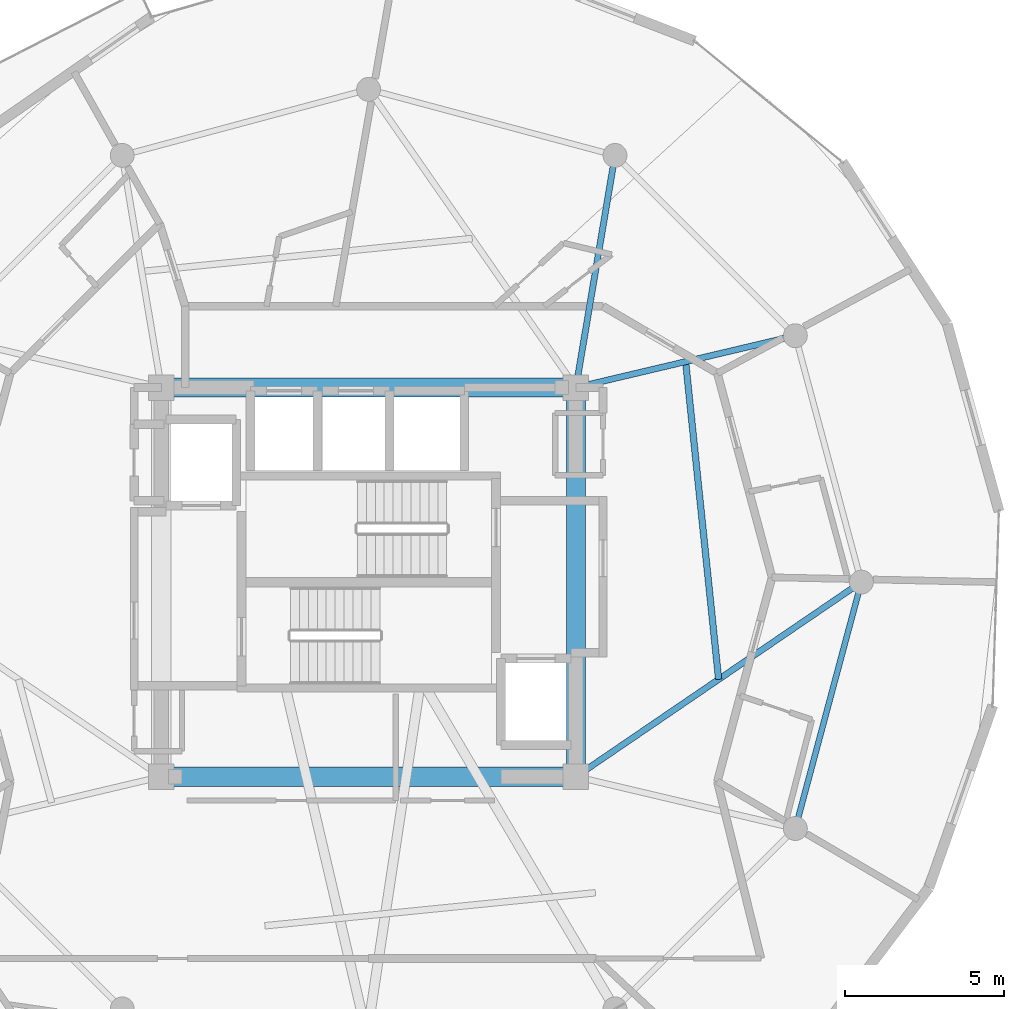
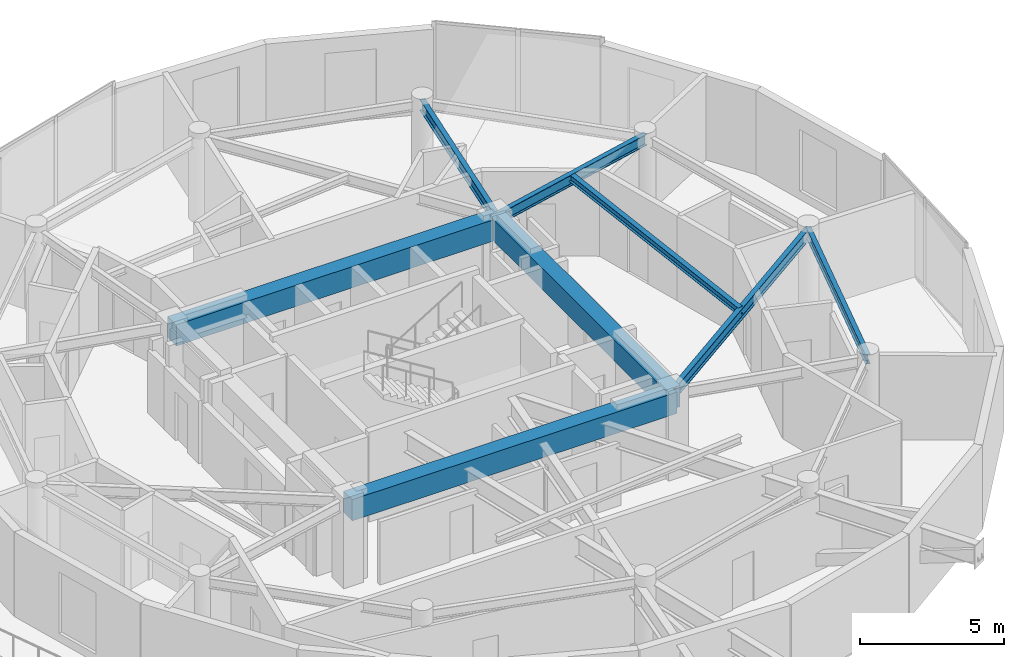
# One storey, part 3 of 16: 8 beams.
"""IFC4 building model written with IfcOpenShell, lengths in metres."""

from ifc_helpers import new_model, si_unit, direction, frame, origin, origin_2d, place, context, subcontext, project, spatial, rectangle, i_section, extrude, material, material_profile, profile_set, type_object, element, save


model = new_model("IFC4")

# Units and contexts
model_context = context("Model", 3, precision=1e-05, world=origin(), true_north=direction((0.0, 1.0)))
body_context = subcontext(model_context, "Body", "Model", "MODEL_VIEW")
ifc_project = project(units=[si_unit("LENGTHUNIT", "METRE"), si_unit("AREAUNIT", "SQUARE_METRE"), si_unit("VOLUMEUNIT", "CUBIC_METRE"), si_unit("PLANEANGLEUNIT", "RADIAN"), si_unit("MASSUNIT", "GRAM", prefix="KILO")], contexts=[model_context])

# Site, building, storey
site_placement = place(None, origin())
site = spatial("IfcSite", under=ifc_project, at=site_placement, CompositionType="ELEMENT")
building_placement = place(site_placement, origin())
building = spatial("IfcBuilding", under=site, at=building_placement, Name="Solvirekh Grand Hotel", CompositionType="ELEMENT")
storey_placement = place(building_placement, frame((0.0, 0.0, 258.199951171875)))
storey = spatial("IfcBuildingStorey", under=building, at=storey_placement, Name="L67", CompositionType="ELEMENT", Elevation=258.199951171875)

# Beams
ifc_material_1 = material(Name="Concrete C50/60", Category="concrete")
ifc_material_profile_1 = material_profile(ifc_material_1, rectangle(XDim=0.60009765625, YDim=0.89990234375, at=origin_2d()), Name="RC BEAM 600X900")
ifc_profile_set_1 = profile_set([ifc_material_profile_1], Name="Concrete C50/60")
beam_type_1 = type_object("IfcBeamType", Name="Beam_Core_RC900", PredefinedType="BEAM", material=ifc_profile_set_1)
beam_1_placement = place(storey_placement, frame((-6.5, -6.10009765625, 3.1201171875), z_axis=(1.0, 0.0, 0.0), x_axis=(0.0, 1.0, 0.0)))
element("IfcBeam", 1, at=beam_1_placement, inside=storey, type_object=beam_type_1, Name="L67 core coupling ring beam 1", PredefinedType="BEAM", context=body_context, shape_type="SweptSolid", body=[
    extrude(rectangle(XDim=0.60009765625, YDim=0.89990234375, at=origin_2d()), origin(), (0.0, 0.0, 1.0), 13.0),
])
beam_2_placement = place(storey_placement, frame((6.5, -6.10009765625, 3.1201171875), z_axis=(0.0, 1.0, 0.0), x_axis=(-1.0, 0.0, 0.0)))
element("IfcBeam", 2, at=beam_2_placement, inside=storey, type_object=beam_type_1, Name="L67 core coupling ring beam 2", PredefinedType="BEAM", context=body_context, shape_type="SweptSolid", body=[
    extrude(rectangle(XDim=0.60009765625, YDim=0.89990234375, at=origin_2d()), origin(), (0.0, 0.0, 1.0), 12.2001953125),
])
beam_3_placement = place(storey_placement, frame((6.5, 6.10009765625, 3.1201171875), z_axis=(-1.0, 0.0, 0.0), x_axis=(0.0, -1.0, 0.0)))
element("IfcBeam", 3, at=beam_3_placement, inside=storey, type_object=beam_type_1, Name="L67 core coupling ring beam 3", PredefinedType="BEAM", context=body_context, shape_type="SweptSolid", body=[
    extrude(rectangle(XDim=0.60009765625, YDim=0.89990234375, at=origin_2d()), origin(), (0.0, 0.0, 1.0), 13.0),
])
ifc_material_2 = material(Name="Steel S355", Category="steel")
ifc_material_profile_2 = material_profile(ifc_material_2, i_section(OverallWidth=0.194091796875, OverallDepth=0.468994140625, WebThickness=0.010986328125, FlangeThickness=0.01904296875, FilletRadius=0.012939453125, at=origin_2d()), Name="W460X106")
ifc_profile_set_2 = profile_set([ifc_material_profile_2], Name="Steel S355")
beam_type_2 = type_object("IfcBeamType", Name="Beam_Radial_W460H", PredefinedType="BEAM", material=ifc_profile_set_2)
beam_4_placement = place(storey_placement, frame((6.5, -6.10009765625, 3.3349609375), z_axis=(0.826319370306, 0.563201827285, 0.0), x_axis=(-0.563201827285, 0.826319370306, 0.0)))
element("IfcBeam", 4, at=beam_4_placement, inside=storey, type_object=beam_type_2, Name="L67 radial floor beam R01", PredefinedType="BEAM", context=body_context, shape_type="SweptSolid", body=[
    extrude(i_section(OverallWidth=0.194091796875, OverallDepth=0.468994140625, WebThickness=0.010986328125, FlangeThickness=0.01904296875, FilletRadius=0.012939453125, at=origin_2d()), origin(), (0.0, 0.0, 1.0), 10.8310546875),
])
beam_5_placement = place(storey_placement, frame((6.5, 6.10009765625, 3.3349609375), z_axis=(0.973221147544, 0.229870828888, 0.0), x_axis=(-0.229870828888, 0.973221147544, 0.0)))
element("IfcBeam", 5, at=beam_5_placement, inside=storey, type_object=beam_type_2, Name="L67 radial floor beam R02", PredefinedType="BEAM", context=body_context, shape_type="SweptSolid", body=[
    extrude(i_section(OverallWidth=0.194091796875, OverallDepth=0.468994140625, WebThickness=0.010986328125, FlangeThickness=0.01904296875, FilletRadius=0.012939453125, at=origin_2d()), origin(), (0.0, 0.0, 1.0), 7.069091796875),
])
beam_6_placement = place(storey_placement, frame((6.5, 6.10009765625, 3.3349609375), z_axis=(0.165954049106, 0.986133486697, 0.0), x_axis=(-0.986133486697, 0.165954049106, 0.0)))
element("IfcBeam", 6, at=beam_6_placement, inside=storey, type_object=beam_type_2, Name="L67 radial floor beam R03", PredefinedType="BEAM", context=body_context, shape_type="SweptSolid", body=[
    extrude(i_section(OverallWidth=0.194091796875, OverallDepth=0.468994140625, WebThickness=0.010986328125, FlangeThickness=0.01904296875, FilletRadius=0.012939453125, at=origin_2d()), origin(), (0.0, 0.0, 1.0), 7.382080078125),
])
ifc_material_profile_3 = material_profile(ifc_material_2, i_section(OverallWidth=0.202880859375, OverallDepth=0.302978515625, WebThickness=0.008056640625, FlangeThickness=0.012939453125, FilletRadius=0.010009765625, at=origin_2d()), Name="W310X60")
ifc_profile_set_3 = profile_set([ifc_material_profile_3], Name="Steel S355")
beam_type_3 = type_object("IfcBeamType", Name="Joist_Floor_W310", PredefinedType="JOIST", material=ifc_profile_set_3)
beam_7_placement = place(storey_placement, frame((10.97509765625, -3.050048828125, 3.41796875), z_axis=(-0.103352382469, 0.994644803454, 0.0), x_axis=(-0.994644803454, -0.103352382469, 0.0)))
element("IfcBeam", 7, at=beam_7_placement, inside=storey, type_object=beam_type_3, Name="L67 secondary composite floor joist 1", PredefinedType="JOIST", context=body_context, shape_type="SweptSolid", body=[
    extrude(i_section(OverallWidth=0.202880859375, OverallDepth=0.302978515625, WebThickness=0.008056640625, FlangeThickness=0.012939453125, FilletRadius=0.010009765625, at=origin_2d()), origin(), (0.0, 0.0, 1.0), 10.015869140625),
])
ifc_material_profile_4 = material_profile(ifc_material_2, i_section(OverallWidth=0.180908203125, OverallDepth=0.4169921875, WebThickness=0.010009765625, FlangeThickness=0.01611328125, FilletRadius=0.011962890625, at=origin_2d()), Name="W410X85")
ifc_profile_set_4 = profile_set([ifc_material_profile_4], Name="Steel S355")
beam_type_4 = type_object("IfcBeamType", Name="Spandrel_Ring_W410", PredefinedType="SPANDREL", material=ifc_profile_set_4)
beam_8_placement = place(storey_placement, frame((13.3798828125, -7.72509765625, 3.361083984375), z_axis=(0.258834757072, 0.965921616143, 0.0), x_axis=(-0.965921616143, 0.258834757072, 0.0)))
element("IfcBeam", 8, at=beam_8_placement, inside=storey, type_object=beam_type_4, Name="L67 perimeter spandrel beam 12", PredefinedType="SPANDREL", context=body_context, shape_type="SweptSolid", body=[
    extrude(i_section(OverallWidth=0.180908203125, OverallDepth=0.4169921875, WebThickness=0.010009765625, FlangeThickness=0.01611328125, FilletRadius=0.011962890625, at=origin_2d()), origin(), (0.0, 0.0, 1.0), 7.99755859375),
])

save(model, "model.ifc")
